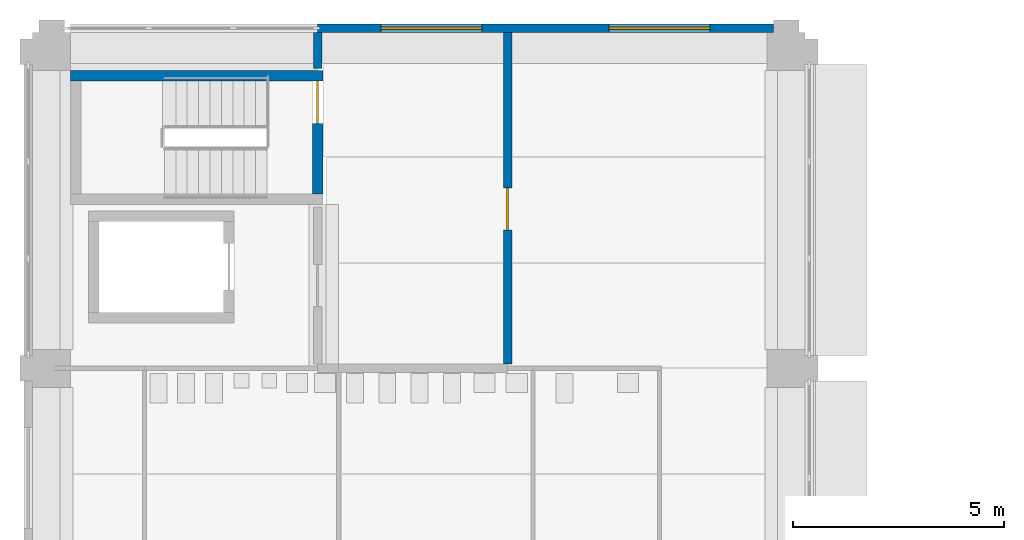
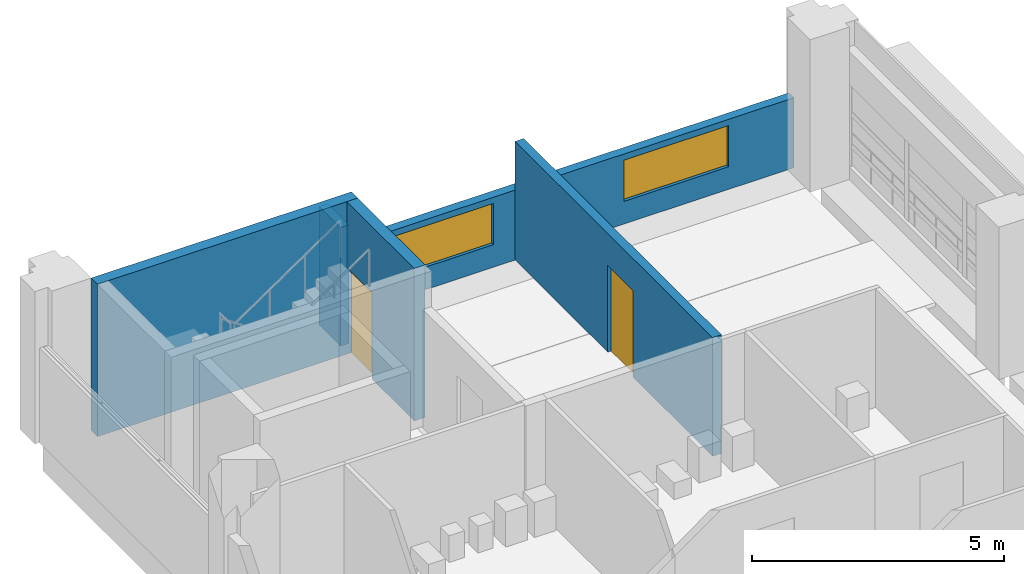
# One storey, part 32 of 57: 5 walls, 2 doors, 2 windows, 4 openings.
"""IFC4 building model written with IfcOpenShell, lengths in metres."""

from ifc_helpers import new_model, si_unit, direction, frame, frame_2d, origin, place, context, subcontext, project, spatial, rectangle, extrude, material, layer, layer_set, type_object, element, fill, save


model = new_model("IFC4")

# Units and contexts
model_context = context("Model", 3, precision=1e-05, world=origin(), true_north=direction((0.0, 1.0)))
body_context = subcontext(model_context, "Body", "Model", "MODEL_VIEW")
ifc_project = project(units=[si_unit("LENGTHUNIT", "METRE"), si_unit("AREAUNIT", "SQUARE_METRE"), si_unit("VOLUMEUNIT", "CUBIC_METRE"), si_unit("PLANEANGLEUNIT", "RADIAN"), si_unit("MASSUNIT", "GRAM", prefix="KILO")], contexts=[model_context])

# Site, building, storey
site_placement = place(None, origin())
site = spatial("IfcSite", under=ifc_project, at=site_placement, CompositionType="ELEMENT")
building_placement = place(site_placement, origin())
building = spatial("IfcBuilding", under=site, at=building_placement, Name="Cour d'Honneur Mobility Palace", CompositionType="ELEMENT")
storey_placement = place(building_placement, frame((0.0, 0.0, 8.199951171875)))
storey = spatial("IfcBuildingStorey", under=building, at=storey_placement, Name="L02", CompositionType="ELEMENT", Elevation=8.199951171875)

# Wall, opening, door
ifc_material_1 = material(Name="Gypsum plasterboard")
ifc_layer_1 = layer(ifc_material_1, 0.199951171875)
ifc_layer_set_1 = layer_set([ifc_layer_1], Name="Gypsum plasterboard")
wall_type_1 = type_object("IfcWallType", Name="Partition 200 rated EI 120", PredefinedType="PARTITIONING", material=ifc_layer_set_1)
wall_1_placement = place(storey_placement, frame((10.800048828125, 107.5, 0.0), z_axis=(0.0, 0.0, 1.0), x_axis=(0.0, 1.0, 0.0)))
wall_1 = element("IfcWall", 1, at=wall_1_placement, inside=storey, type_object=wall_type_1, Name="Partition 071", PredefinedType="PARTITIONING", context=body_context, shape_type="SweptSolid", body=[
    extrude(rectangle(XDim=7.85009765625, YDim=0.199951171875, at=frame_2d((3.925048828125, 0.0))), origin(), (0.0, 0.0, 1.0), 2.880126953125),
])
opening_1_placement = place(wall_1_placement, frame((3.169921875, 0.0, 0.0)))
opening_1 = element("IfcOpeningElement", 2, at=opening_1_placement, cuts=wall_1, Name="Opening D0202", PredefinedType="OPENING", context=body_context, shape_type="SweptSolid", body=[
    extrude(rectangle(XDim=1.0, YDim=2.10009765625, at=frame_2d((0.5, 1.050048828125))), frame((0.0, 0.10986328125, 0.0), z_axis=(0.0, -1.0, 0.0), x_axis=(1.0, 0.0, 0.0)), (0.0, 0.0, 1.0), 0.219970703125),
])
ifc_material_2 = material(Name="Galvanised steel", Category="steel")
door_type_1 = type_object("IfcDoorType", Name="Fire door FD120 1000 x 2100", OperationType="SINGLE_SWING_LEFT", PredefinedType="DOOR", material=ifc_material_2)
door_1_placement = place(opening_1_placement, origin())
door_1 = element("IfcDoor", 3, at=door_1_placement, inside=storey, type_object=door_type_1, Name="Door Lift Lobby NW", OperationType="SINGLE_SWING_LEFT", OverallHeight=2.10009765625, OverallWidth=1.0, PredefinedType="DOOR", context=body_context, shape_type="SweptSolid", body=[
    extrude(rectangle(XDim=1.0, YDim=2.10009765625, at=frame_2d((0.5, 1.050048828125))), frame((0.0, 0.02490234375, 0.0), z_axis=(0.0, -1.0, 0.0), x_axis=(1.0, 0.0, 0.0)), (0.0, 0.0, 1.0), 0.050048828125),
])
fill(opening_1, door_1)

# Wall
wall_2_placement = place(storey_placement, frame((6.300048828125, 115.35009765625, 0.0), z_axis=(0.0, 0.0, 1.0), x_axis=(0.0, -1.0, 0.0)))
element("IfcWall", 4, at=wall_2_placement, inside=storey, type_object=wall_type_1, Name="Partition 087", PredefinedType="PARTITIONING", context=body_context, shape_type="SweptSolid", body=[
    extrude(rectangle(XDim=0.85009765625, YDim=0.199951171875, at=frame_2d((0.425048828125, 0.0))), origin(), (0.0, 0.0, 1.0), 2.880126953125),
])

# Wall, openings, windows
ifc_material_3 = material(Name="Concrete C40", Category="concrete")
ifc_layer_2 = layer(ifc_material_3, 0.199951171875)
ifc_layer_set_2 = layer_set([ifc_layer_2], Name="Concrete C40")
wall_type_2 = type_object("IfcWallType", Name="Spandrel panel", PredefinedType="SOLIDWALL", material=ifc_layer_set_2)
wall_3_placement = place(storey_placement, frame((17.10009765625, 115.449951171875, 0.0), z_axis=(0.0, 0.0, 1.0), x_axis=(-1.0, 0.0, 0.0)))
wall_3 = element("IfcWall", 5, at=wall_3_placement, inside=storey, type_object=wall_type_2, Name="Spandrel panel SW-9", PredefinedType="SOLIDWALL", context=body_context, shape_type="SweptSolid", body=[
    extrude(rectangle(XDim=10.800048828125, YDim=0.199951171875, at=frame_2d((5.39990234375, 0.0))), origin(), (0.0, 0.0, 1.0), 1.699951171875),
])
opening_2_placement = place(wall_3_placement, frame((1.5, 0.0, 0.550048828125)))
opening_2 = element("IfcOpeningElement", 6, at=opening_2_placement, cuts=wall_3, Name="Opening W2-9", PredefinedType="OPENING", context=body_context, shape_type="SweptSolid", body=[
    extrude(rectangle(XDim=2.39990234375, YDim=1.0, at=frame_2d((1.199951171875, 0.5))), frame((0.0, 0.10986328125, 0.0), z_axis=(0.0, -1.0, 0.0), x_axis=(1.0, 0.0, 0.0)), (0.0, 0.0, 1.0), 0.219970703125),
])
opening_3_placement = place(wall_3_placement, frame((6.89990234375, 0.0, 0.550048828125)))
opening_3 = element("IfcOpeningElement", 7, at=opening_3_placement, cuts=wall_3, Name="Opening W2-10", PredefinedType="OPENING", context=body_context, shape_type="SweptSolid", body=[
    extrude(rectangle(XDim=2.39990234375, YDim=1.0, at=frame_2d((1.199951171875, 0.5))), frame((0.0, 0.10986328125, 0.0), z_axis=(0.0, -1.0, 0.0), x_axis=(1.0, 0.0, 0.0)), (0.0, 0.0, 1.0), 0.219970703125),
])
ifc_material_4 = material(Name="Aluminium frame and glass", Category="aluminium")
window_type = type_object("IfcWindowType", Name="Gallery window W2", PartitioningType="TRIPLE_PANEL_VERTICAL", PredefinedType="WINDOW", material=ifc_material_4)
window_1_placement = place(opening_2_placement, origin())
window_1 = element("IfcWindow", 8, at=window_1_placement, inside=storey, type_object=window_type, Name="Gallery window W2 W2-9", OverallHeight=1.0, OverallWidth=2.39990234375, PartitioningType="SINGLE_PANEL", PredefinedType="WINDOW", context=body_context, shape_type="SweptSolid", body=[
    extrude(rectangle(XDim=2.39990234375, YDim=1.0, at=frame_2d((1.199951171875, 0.5))), frame((0.0, 0.030029296875, 0.0), z_axis=(0.0, -1.0, 0.0), x_axis=(1.0, 0.0, 0.0)), (0.0, 0.0, 1.0), 0.06005859375),
])
fill(opening_2, window_1)
window_2_placement = place(opening_3_placement, origin())
window_2 = element("IfcWindow", 9, at=window_2_placement, inside=storey, type_object=window_type, Name="Gallery window W2 W2-10", OverallHeight=1.0, OverallWidth=2.39990234375, PartitioningType="SINGLE_PANEL", PredefinedType="WINDOW", context=body_context, shape_type="SweptSolid", body=[
    extrude(rectangle(XDim=2.39990234375, YDim=1.0, at=frame_2d((1.199951171875, 0.5))), frame((0.0, 0.030029296875, 0.0), z_axis=(0.0, -1.0, 0.0), x_axis=(1.0, 0.0, 0.0)), (0.0, 0.0, 1.0), 0.06005859375),
])
fill(opening_3, window_2)

# Wall
ifc_material_5 = material(Name="Concrete C50", Category="concrete")
ifc_layer_3 = layer(ifc_material_5, 0.25)
ifc_layer_set_3 = layer_set([ifc_layer_3], Name="Concrete C50")
wall_type_3 = type_object("IfcWallType", Name="Stair wall 250", PredefinedType="SHEAR", material=ifc_layer_set_3)
wall_4_placement = place(storey_placement, frame((0.449951171875, 114.324951171875, 0.0), z_axis=(0.0, 0.0, 1.0), x_axis=(1.0, 0.0, 0.0)))
element("IfcWall", 10, at=wall_4_placement, inside=storey, type_object=wall_type_3, Name="Stair wall WS-NW4 L02", PredefinedType="SHEAR", context=body_context, shape_type="SweptSolid", body=[
    extrude(rectangle(XDim=5.97509765625, YDim=0.25, at=frame_2d((2.987548828125, 0.0))), origin(), (0.0, 0.0, 1.0), 3.699951171875),
])

# Wall, opening, door
wall_5_placement = place(storey_placement, frame((6.300048828125, 111.52490234375, 0.0), z_axis=(0.0, 0.0, 1.0), x_axis=(0.0, 1.0, 0.0)))
wall_5 = element("IfcWall", 11, at=wall_5_placement, inside=storey, type_object=wall_type_3, Name="Stair wall WS-NW8 L02", PredefinedType="SHEAR", context=body_context, shape_type="SweptSolid", body=[
    extrude(rectangle(XDim=2.675048828125, YDim=0.25, at=frame_2d((1.33740234375, 0.0))), origin(), (0.0, 0.0, 1.0), 3.699951171875),
])
opening_4_placement = place(wall_5_placement, frame((1.675048828125, 0.0, 0.0)))
opening_4 = element("IfcOpeningElement", 12, at=opening_4_placement, cuts=wall_5, Name="Opening S99", PredefinedType="OPENING", context=body_context, shape_type="SweptSolid", body=[
    extrude(rectangle(XDim=1.0, YDim=2.10009765625, at=frame_2d((0.5, 1.050048828125))), frame((0.0, 0.135009765625, 0.0), z_axis=(0.0, -1.0, 0.0), x_axis=(1.0, 0.0, 0.0)), (0.0, 0.0, 1.0), 0.27001953125),
])
ifc_material_6 = material(Name="Galvanised steel", Category="steel")
door_type_2 = type_object("IfcDoorType", Name="Fire door FD120 stair 1000 x 2100", OperationType="SINGLE_SWING_LEFT", PredefinedType="DOOR", material=ifc_material_6)
door_2_placement = place(opening_4_placement, origin())
door_2 = element("IfcDoor", 13, at=door_2_placement, inside=storey, type_object=door_type_2, Name="Stair door ST-NW1 L02", OperationType="SINGLE_SWING_LEFT", OverallHeight=2.10009765625, OverallWidth=1.0, PredefinedType="DOOR", context=body_context, shape_type="SweptSolid", body=[
    extrude(rectangle(XDim=1.0, YDim=2.10009765625, at=frame_2d((0.5, 1.050048828125))), frame((0.0, 0.02490234375, 0.0), z_axis=(0.0, -1.0, 0.0), x_axis=(1.0, 0.0, 0.0)), (0.0, 0.0, 1.0), 0.050048828125),
])
fill(opening_4, door_2)

save(model, "model.ifc")
